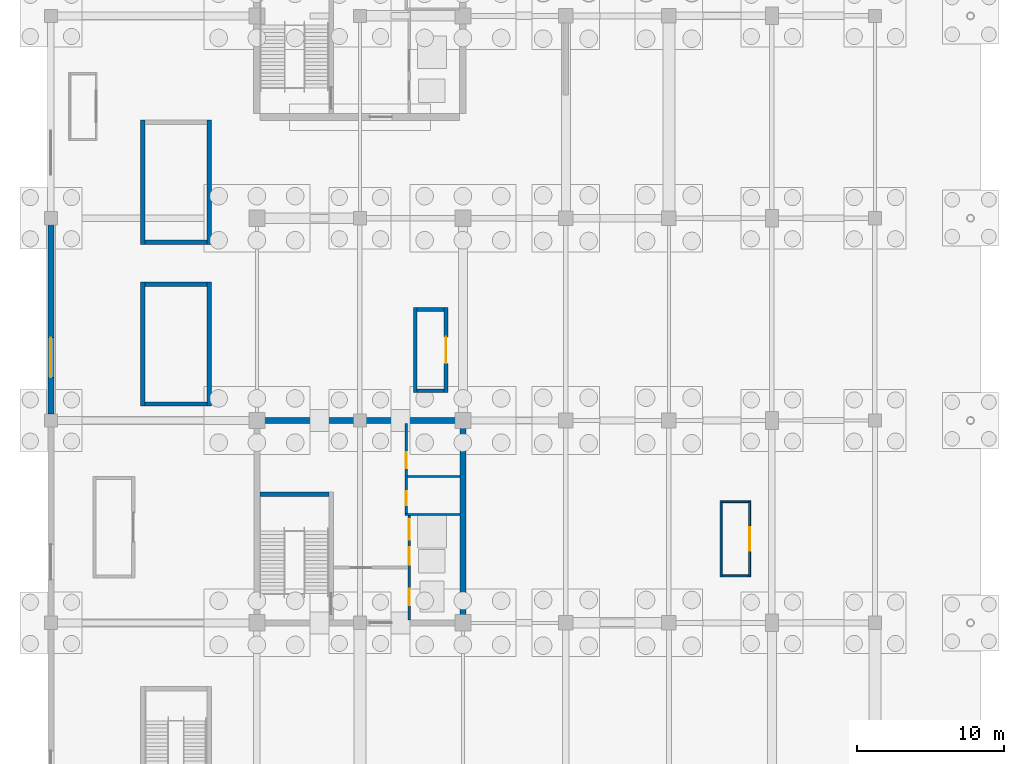
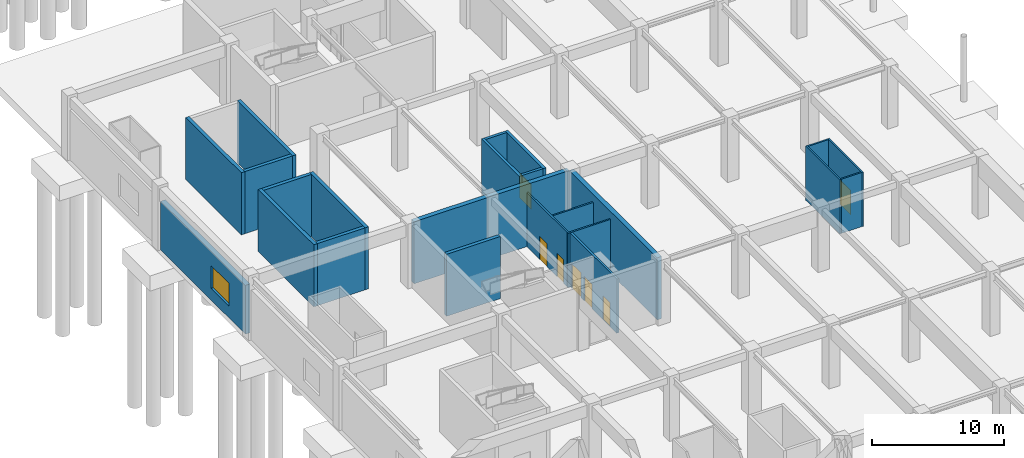
# One storey, part 42 of 62: 23 walls, 7 doors, 1 window, 8 openings.
"""IFC4 building model written with IfcOpenShell, lengths in metres."""

from ifc_helpers import new_model, si_unit, direction, frame, frame_2d, origin, place, context, subcontext, project, spatial, rectangle, extrude, material, layer, layer_set, type_object, element, fill, save


model = new_model("IFC4")

# Units and contexts
model_context = context("Model", 3, precision=1e-05, world=origin(), true_north=direction((0.0, 1.0)))
body_context = subcontext(model_context, "Body", "Model", "MODEL_VIEW")
ifc_project = project(units=[si_unit("LENGTHUNIT", "METRE"), si_unit("AREAUNIT", "SQUARE_METRE"), si_unit("VOLUMEUNIT", "CUBIC_METRE"), si_unit("PLANEANGLEUNIT", "RADIAN"), si_unit("MASSUNIT", "GRAM", prefix="KILO")], contexts=[model_context])

# Site, building, storey
site_placement = place(None, origin())
site = spatial("IfcSite", under=ifc_project, at=site_placement, CompositionType="ELEMENT")
building_placement = place(site_placement, origin())
building = spatial("IfcBuilding", under=site, at=building_placement, Name="Linyun Crest Stadium", CompositionType="ELEMENT")
storey_placement = place(building_placement, frame((0.0, 0.0, -6.0)))
storey = spatial("IfcBuildingStorey", under=building, at=storey_placement, Name="B1", CompositionType="ELEMENT", Elevation=-6.0)

# Walls
ifc_material_1 = material(Name="Concrete C50", Category="concrete")
ifc_layer_1 = layer(ifc_material_1, 0.39990234375)
ifc_layer_set_1 = layer_set([ifc_layer_1], Name="Concrete C50")
wall_type_1 = type_object("IfcWallType", Name="CW02", PredefinedType="SHEAR", material=ifc_layer_set_1)
wall_1_placement = place(storey_placement, frame((-70.0, 2.324951171875, 0.0), z_axis=(0.0, 0.0, 1.0), x_axis=(0.0, 1.0, 0.0)))
element("IfcWall", 1, at=wall_1_placement, inside=storey, type_object=wall_type_1, Name="Core shear wall CW02 CORE-W2 B1.2", PredefinedType="SHEAR", context=body_context, shape_type="SweptSolid", body=[
    extrude(rectangle(XDim=13.35009765625, YDim=0.39990234375, at=frame_2d((6.675048828125, 0.0))), origin(), (0.0, 0.0, 1.0), 5.75),
])
wall_2_placement = place(storey_placement, frame((-83.800048828125, 15.875, 0.0), z_axis=(0.0, 0.0, 1.0), x_axis=(1.0, 0.0, 0.0)))
element("IfcWall", 2, at=wall_2_placement, inside=storey, type_object=wall_type_1, Name="Core shear wall CW02 CORE-W2 B1.4", PredefinedType="SHEAR", context=body_context, shape_type="SweptSolid", body=[
    extrude(rectangle(XDim=13.60009765625, YDim=0.39990234375, at=frame_2d((6.800048828125, 0.0))), origin(), (0.0, 0.0, 1.0), 5.75),
])

# Wall, opening, window
ifc_material_2 = material(Name="Concrete C40 basement retaining envelope wall", Category="concrete")
ifc_layer_2 = layer(ifc_material_2, 0.419921875)
ifc_layer_set_2 = layer_set([ifc_layer_2], Name="Concrete C40 basement retaining envelope wall")
wall_type_2 = type_object("IfcWallType", Name="EW08", PredefinedType="SOLIDWALL", material=ifc_layer_set_2)
wall_3_placement = place(storey_placement, frame((-98.0, 16.31494140625, 0.0), z_axis=(0.0, 0.0, 1.0), x_axis=(0.0, 1.0, 0.0)))
wall_3 = element("IfcWall", 3, at=wall_3_placement, inside=storey, type_object=wall_type_2, Name="Exterior wall EW08 B1 17", PredefinedType="SOLIDWALL", context=body_context, shape_type="SweptSolid", body=[
    extrude(rectangle(XDim=12.8701171875, YDim=0.419921875, at=frame_2d((6.43505859375, 0.0))), origin(), (0.0, 0.0, 1.0), 4.52490234375),
])
opening_1_placement = place(wall_3_placement, frame((2.5, 0.0, 1.10009765625)))
opening_1 = element("IfcOpeningElement", 4, at=opening_1_placement, cuts=wall_3, Name="Opening WN05", PredefinedType="OPENING", context=body_context, shape_type="SweptSolid", body=[
    extrude(rectangle(XDim=2.699951171875, YDim=2.10009765625, at=frame_2d((1.35009765625, 1.050048828125))), frame((0.0, 0.219970703125, 0.0), z_axis=(0.0, -1.0, 0.0), x_axis=(1.0, 0.0, 0.0)), (0.0, 0.0, 1.0), 0.43994140625),
])
ifc_material_3 = material(Name="Verdigris steel Art Nouveau arched window", Category="steel")
ifc_layer_3 = layer(ifc_material_3, 0.06494140625)
ifc_layer_set_3 = layer_set([ifc_layer_3], Name="Verdigris steel Art Nouveau arched window")
window_type = type_object("IfcWindowType", Name="WN05", PartitioningType="SINGLE_PANEL", PredefinedType="WINDOW", material=ifc_layer_set_3)
window_placement = place(opening_1_placement, origin())
window = element("IfcWindow", 5, at=window_placement, inside=storey, type_object=window_type, Name="Window WN05 B1 21", OverallHeight=2.10009765625, OverallWidth=2.699951171875, PartitioningType="SINGLE_PANEL", PredefinedType="WINDOW", context=body_context, shape_type="SweptSolid", body=[
    extrude(rectangle(XDim=2.699951171875, YDim=2.10009765625, at=frame_2d((1.35009765625, 1.050048828125))), frame((0.0, 0.030029296875, 0.0), z_axis=(0.0, -1.0, 0.0), x_axis=(1.0, 0.0, 0.0)), (0.0, 0.0, 1.0), 0.06005859375),
])
fill(opening_1, window)

# Wall, openings, doors
ifc_material_4 = material(Name="Autoclaved aerated concrete block fire partition", Category="concrete")
ifc_layer_4 = layer(ifc_material_4, 0.179931640625)
ifc_layer_set_4 = layer_set([ifc_layer_4], Name="Autoclaved aerated concrete block fire partition")
wall_type_3 = type_object("IfcWallType", Name="PW12", PredefinedType="PARTITIONING", material=ifc_layer_set_4)
wall_4_placement = place(storey_placement, frame((-73.64990234375, 2.324951171875, 0.0), z_axis=(0.0, 0.0, 1.0), x_axis=(0.0, 1.0, 0.0)))
wall_4 = element("IfcWall", 6, at=wall_4_placement, inside=storey, type_object=wall_type_3, Name="Partition PW12 B1 23", PredefinedType="PARTITIONING", context=body_context, shape_type="SweptSolid", body=[
    extrude(rectangle(XDim=7.080078125, YDim=0.179931640625, at=frame_2d((3.5400390625, 0.0))), origin(), (0.0, 0.0, 1.0), 5.02001953125),
])
opening_2_placement = place(wall_4_placement, frame((1.0, 0.0, 0.0)))
opening_2 = element("IfcOpeningElement", 7, at=opening_2_placement, cuts=wall_4, Name="Opening LD015", PredefinedType="OPENING", context=body_context, shape_type="SweptSolid", body=[
    extrude(rectangle(XDim=1.10009765625, YDim=2.199951171875, at=frame_2d((0.550048828125, 1.10009765625))), frame((0.0, 0.099853515625, 0.0), z_axis=(0.0, -1.0, 0.0), x_axis=(1.0, 0.0, 0.0)), (0.0, 0.0, 1.0), 0.199951171875),
])
opening_3_placement = place(wall_4_placement, frame((3.75, 0.0, 0.0)))
opening_3 = element("IfcOpeningElement", 8, at=opening_3_placement, cuts=wall_4, Name="Opening LD016", PredefinedType="OPENING", context=body_context, shape_type="SweptSolid", body=[
    extrude(rectangle(XDim=1.199951171875, YDim=2.25, at=frame_2d((0.60009765625, 1.125))), frame((0.0, 0.099853515625, 0.0), z_axis=(0.0, -1.0, 0.0), x_axis=(1.0, 0.0, 0.0)), (0.0, 0.0, 1.0), 0.199951171875),
])
opening_4_placement = place(wall_4_placement, frame((5.449951171875, 0.0, 0.0)))
opening_4 = element("IfcOpeningElement", 9, at=opening_4_placement, cuts=wall_4, Name="Opening LD017", PredefinedType="OPENING", context=body_context, shape_type="SweptSolid", body=[
    extrude(rectangle(XDim=1.39990234375, YDim=2.300048828125, at=frame_2d((0.699951171875, 1.14990234375))), frame((0.0, 0.099853515625, 0.0), z_axis=(0.0, -1.0, 0.0), x_axis=(1.0, 0.0, 0.0)), (0.0, 0.0, 1.0), 0.199951171875),
])
ifc_material_5 = material(Name="Brushed stainless sliding lift door")
ifc_layer_5 = layer(ifc_material_5, 0.050048828125)
ifc_layer_set_5 = layer_set([ifc_layer_5], Name="Brushed stainless sliding lift door")
door_type_1 = type_object("IfcDoorType", Name="LD01", OperationType="NOTDEFINED", PredefinedType="DOOR", material=ifc_layer_set_5)
door_1_placement = place(opening_2_placement, origin())
door_1 = element("IfcDoor", 10, at=door_1_placement, inside=storey, type_object=door_type_1, Name="Lift landing door LD015", OperationType="DOUBLE_DOOR_SLIDING", OverallHeight=2.199951171875, OverallWidth=1.10009765625, PredefinedType="DOOR", context=body_context, shape_type="SweptSolid", body=[
    extrude(rectangle(XDim=1.10009765625, YDim=2.199951171875, at=frame_2d((0.550048828125, 1.10009765625))), frame((0.0, 0.02490234375, 0.0), z_axis=(0.0, -1.0, 0.0), x_axis=(1.0, 0.0, 0.0)), (0.0, 0.0, 1.0), 0.050048828125),
])
fill(opening_2, door_1)
ifc_material_6 = material(Name="Brushed stainless sliding lift door")
ifc_layer_6 = layer(ifc_material_6, 0.050048828125)
ifc_layer_set_6 = layer_set([ifc_layer_6], Name="Brushed stainless sliding lift door")
door_type_2 = type_object("IfcDoorType", Name="LD02", OperationType="NOTDEFINED", PredefinedType="DOOR", material=ifc_layer_set_6)
door_2_placement = place(opening_3_placement, origin())
door_2 = element("IfcDoor", 11, at=door_2_placement, inside=storey, type_object=door_type_2, Name="Lift landing door LD016", OperationType="DOUBLE_DOOR_SLIDING", OverallHeight=2.25, OverallWidth=1.199951171875, PredefinedType="DOOR", context=body_context, shape_type="SweptSolid", body=[
    extrude(rectangle(XDim=1.199951171875, YDim=2.25, at=frame_2d((0.60009765625, 1.125))), frame((0.0, 0.02490234375, 0.0), z_axis=(0.0, -1.0, 0.0), x_axis=(1.0, 0.0, 0.0)), (0.0, 0.0, 1.0), 0.050048828125),
])
fill(opening_3, door_2)
ifc_material_7 = material(Name="Heavy-duty stainless sliding door")
ifc_layer_7 = layer(ifc_material_7, 0.054931640625)
ifc_layer_set_7 = layer_set([ifc_layer_7], Name="Heavy-duty stainless sliding door")
door_type_3 = type_object("IfcDoorType", Name="LD03", OperationType="NOTDEFINED", PredefinedType="DOOR", material=ifc_layer_set_7)
door_3_placement = place(opening_4_placement, origin())
door_3 = element("IfcDoor", 12, at=door_3_placement, inside=storey, type_object=door_type_3, Name="Lift landing door LD017", OperationType="DOUBLE_DOOR_SLIDING", OverallHeight=2.300048828125, OverallWidth=1.39990234375, PredefinedType="DOOR", context=body_context, shape_type="SweptSolid", body=[
    extrude(rectangle(XDim=1.39990234375, YDim=2.300048828125, at=frame_2d((0.699951171875, 1.14990234375))), frame((0.0, 0.02490234375, 0.0), z_axis=(0.0, -1.0, 0.0), x_axis=(1.0, 0.0, 0.0)), (0.0, 0.0, 1.0), 0.050048828125),
])
fill(opening_4, door_3)

ifc_material_8 = material(Name="Moisture-resistant ceramic-tiled wet-room wall")
ifc_layer_8 = layer(ifc_material_8, 0.139892578125)
ifc_layer_set_8 = layer_set([ifc_layer_8], Name="Moisture-resistant ceramic-tiled wet-room wall")
wall_type_4 = type_object("IfcWallType", Name="PW15", PredefinedType="PARTITIONING", material=ifc_layer_set_8)
wall_5_placement = place(storey_placement, frame((-73.85009765625, 9.544921875, 0.0), z_axis=(0.0, 0.0, 1.0), x_axis=(0.0, 1.0, 0.0)))
wall_5 = element("IfcWall", 13, at=wall_5_placement, inside=storey, type_object=wall_type_4, Name="Partition PW15 B1 24", PredefinedType="PARTITIONING", context=body_context, shape_type="SweptSolid", body=[
    extrude(rectangle(XDim=6.130126953125, YDim=0.139892578125, at=frame_2d((3.06494140625, 0.0))), origin(), (0.0, 0.0, 1.0), 5.02001953125),
])
opening_5_placement = place(wall_5_placement, frame((0.580078125, 0.0, 0.0)))
opening_5 = element("IfcOpeningElement", 14, at=opening_5_placement, cuts=wall_5, Name="Opening D-B1-056", PredefinedType="OPENING", context=body_context, shape_type="SweptSolid", body=[
    extrude(rectangle(XDim=0.949951171875, YDim=2.14990234375, at=frame_2d((0.47509765625, 1.074951171875))), frame((0.0, 0.079833984375, 0.0), z_axis=(0.0, -1.0, 0.0), x_axis=(1.0, 0.0, 0.0)), (0.0, 0.0, 1.0), 0.159912109375),
])
opening_6_placement = place(wall_5_placement, frame((3.080078125, 0.0, 0.0)))
opening_6 = element("IfcOpeningElement", 15, at=opening_6_placement, cuts=wall_5, Name="Opening D-B1-057", PredefinedType="OPENING", context=body_context, shape_type="SweptSolid", body=[
    extrude(rectangle(XDim=1.10009765625, YDim=2.14990234375, at=frame_2d((0.550048828125, 1.074951171875))), frame((0.0, 0.079833984375, 0.0), z_axis=(0.0, -1.0, 0.0), x_axis=(1.0, 0.0, 0.0)), (0.0, 0.0, 1.0), 0.159912109375),
])
ifc_material_9 = material(Name="Moisture-resistant laminate leaf")
ifc_layer_9 = layer(ifc_material_9, 0.044921875)
ifc_layer_set_9 = layer_set([ifc_layer_9], Name="Moisture-resistant laminate leaf")
door_type_4 = type_object("IfcDoorType", Name="ID02", OperationType="NOTDEFINED", PredefinedType="DOOR", material=ifc_layer_set_9)
door_4_placement = place(opening_5_placement, origin())
door_4 = element("IfcDoor", 16, at=door_4_placement, inside=storey, type_object=door_type_4, Name="Door D-B1-056", OperationType="SINGLE_SWING_RIGHT", OverallHeight=2.14990234375, OverallWidth=0.949951171875, PredefinedType="DOOR", context=body_context, shape_type="SweptSolid", body=[
    extrude(rectangle(XDim=0.949951171875, YDim=2.14990234375, at=frame_2d((0.47509765625, 1.074951171875))), frame((0.0, 0.02490234375, 0.0), z_axis=(0.0, -1.0, 0.0), x_axis=(1.0, 0.0, 0.0)), (0.0, 0.0, 1.0), 0.050048828125),
])
fill(opening_5, door_4)
ifc_material_10 = material(Name="Moisture-resistant laminate leaf")
ifc_layer_10 = layer(ifc_material_10, 0.044921875)
ifc_layer_set_10 = layer_set([ifc_layer_10], Name="Moisture-resistant laminate leaf")
door_type_5 = type_object("IfcDoorType", Name="ID03", OperationType="NOTDEFINED", PredefinedType="DOOR", material=ifc_layer_set_10)
door_5_placement = place(opening_6_placement, origin())
door_5 = element("IfcDoor", 17, at=door_5_placement, inside=storey, type_object=door_type_5, Name="Door D-B1-057", OperationType="SINGLE_SWING_LEFT", OverallHeight=2.14990234375, OverallWidth=1.10009765625, PredefinedType="DOOR", context=body_context, shape_type="SweptSolid", body=[
    extrude(rectangle(XDim=1.10009765625, YDim=2.14990234375, at=frame_2d((0.550048828125, 1.074951171875))), frame((0.0, 0.02490234375, 0.0), z_axis=(0.0, -1.0, 0.0), x_axis=(1.0, 0.0, 0.0)), (0.0, 0.0, 1.0), 0.050048828125),
])
fill(opening_6, door_5)

# Walls
wall_6_placement = place(storey_placement, frame((-73.919921875, 9.47509765625, 0.0), z_axis=(0.0, 0.0, 1.0), x_axis=(1.0, 0.0, 0.0)))
element("IfcWall", 18, at=wall_6_placement, inside=storey, type_object=wall_type_4, Name="Enclosure partition PW15 B1 15", PredefinedType="PARTITIONING", context=body_context, shape_type="SweptSolid", body=[
    extrude(rectangle(XDim=3.719970703125, YDim=0.139892578125, at=frame_2d((1.85986328125, 0.0))), origin(), (0.0, 0.0, 1.0), 5.02001953125),
])
wall_7_placement = place(storey_placement, frame((-73.780029296875, 12.074951171875, 0.0), z_axis=(0.0, 0.0, 1.0), x_axis=(1.0, 0.0, 0.0)))
element("IfcWall", 19, at=wall_7_placement, inside=storey, type_object=wall_type_4, Name="Enclosure partition PW15 B1 16", PredefinedType="PARTITIONING", context=body_context, shape_type="SweptSolid", body=[
    extrude(rectangle(XDim=3.580078125, YDim=0.139892578125, at=frame_2d((1.7900390625, 0.0))), origin(), (0.0, 0.0, 1.0), 5.02001953125),
])

# Wall, opening, door
ifc_material_11 = material(Name="Impact-resistant community sports hall lining")
ifc_layer_11 = layer(ifc_material_11, 0.135009765625)
ifc_layer_set_11 = layer_set([ifc_layer_11], Name="Impact-resistant community sports hall lining")
wall_type_5 = type_object("IfcWallType", Name="PW19", PredefinedType="PARTITIONING", material=ifc_layer_set_11)
wall_8_placement = place(storey_placement, frame((-50.509033203125, 10.422119140625, 0.0), z_axis=(0.0, 0.0, 1.0), x_axis=(0.0, -1.0, 0.0)))
wall_8 = element("IfcWall", 20, at=wall_8_placement, inside=storey, type_object=wall_type_5, Name="Partition PW19 B1 142", PredefinedType="PARTITIONING", context=body_context, shape_type="SweptSolid", body=[
    extrude(rectangle(XDim=5.18017578125, YDim=0.135009765625, at=frame_2d((2.590087890625, 0.0))), origin(), (0.0, 0.0, 1.0), 5.02001953125),
])
opening_7_placement = place(wall_8_placement, frame((1.7900390625, 0.0, 0.0)))
opening_7 = element("IfcOpeningElement", 21, at=opening_7_placement, cuts=wall_8, Name="Opening D-B1-405", PredefinedType="OPENING", context=body_context, shape_type="SweptSolid", body=[
    extrude(rectangle(XDim=1.60009765625, YDim=2.25, at=frame_2d((0.800048828125, 1.125))), frame((0.0, 0.077392578125, 0.0), z_axis=(0.0, -1.0, 0.0), x_axis=(1.0, 0.0, 0.0)), (0.0, 0.0, 1.0), 0.155029296875),
])
ifc_material_12 = material(Name="Stainless-clad fire door")
ifc_layer_12 = layer(ifc_material_12, 0.054931640625)
ifc_layer_set_12 = layer_set([ifc_layer_12], Name="Stainless-clad fire door")
door_type_6 = type_object("IfcDoorType", Name="FD05", OperationType="NOTDEFINED", PredefinedType="DOOR", material=ifc_layer_set_12)
door_6_placement = place(opening_7_placement, origin())
door_6 = element("IfcDoor", 22, at=door_6_placement, inside=storey, type_object=door_type_6, Name="Door D-B1-405", OperationType="SINGLE_SWING_LEFT", OverallHeight=2.25, OverallWidth=1.60009765625, PredefinedType="DOOR", context=body_context, shape_type="SweptSolid", body=[
    extrude(rectangle(XDim=1.60009765625, YDim=2.25, at=frame_2d((0.800048828125, 1.125))), frame((0.0, 0.02490234375, 0.0), z_axis=(0.0, -1.0, 0.0), x_axis=(1.0, 0.0, 0.0)), (0.0, 0.0, 1.0), 0.050048828125),
])
fill(opening_7, door_6)

# Walls
wall_9_placement = place(storey_placement, frame((-52.448974609375, 5.241943359375, 0.0), z_axis=(0.0, 0.0, 1.0), x_axis=(0.0, 1.0, 0.0)))
element("IfcWall", 23, at=wall_9_placement, inside=storey, type_object=wall_type_5, Name="Enclosure partition PW19 B1 142", PredefinedType="PARTITIONING", context=body_context, shape_type="SweptSolid", body=[
    extrude(rectangle(XDim=5.18017578125, YDim=0.135009765625, at=frame_2d((2.590087890625, 0.0))), origin(), (0.0, 0.0, 1.0), 5.02001953125),
])
for number, where, z_axis, x_axis, name in (
    (24, (-52.381103515625, 5.31005859375, 0.0), (0.0, 0.0, 1.0), (1.0, 0.0, 0.0), "Enclosure partition PW19 B1 143"),
    (25, (-52.381103515625, 10.35400390625, 0.0), (0.0, 0.0, 1.0), (1.0, 0.0, 0.0), "Enclosure partition PW19 B1 144"),
):
    element("IfcWall", number, at=place(storey_placement, frame(where, z_axis=z_axis, x_axis=x_axis)), inside=storey, type_object=wall_type_5, Name=name, PredefinedType="PARTITIONING", context=body_context, shape_type="SweptSolid", body=[
        extrude(rectangle(XDim=1.80419921875, YDim=0.135009765625, at=frame_2d((0.902099609375, 0.0))), origin(), (0.0, 0.0, 1.0), 5.02001953125),
    ])

# Wall, opening, door
ifc_material_13 = material(Name="Plant room acoustic masonry partition", Category="masonry")
ifc_layer_13 = layer(ifc_material_13, 0.2451171875)
ifc_layer_set_13 = layer_set([ifc_layer_13], Name="Plant room acoustic masonry partition")
wall_type_6 = type_object("IfcWallType", Name="PW20", PredefinedType="PARTITIONING", material=ifc_layer_set_13)
wall_10_placement = place(storey_placement, frame((-71.15087890625, 23.541015625, 0.0), z_axis=(0.0, 0.0, 1.0), x_axis=(0.0, -1.0, 0.0)))
wall_10 = element("IfcWall", 26, at=wall_10_placement, inside=storey, type_object=wall_type_6, Name="Partition PW20 B1 144", PredefinedType="PARTITIONING", context=body_context, shape_type="SweptSolid", body=[
    extrude(rectangle(XDim=5.760009765625, YDim=0.2451171875, at=frame_2d((2.8798828125, 0.0))), origin(), (0.0, 0.0, 1.0), 5.02001953125),
])
opening_8_placement = place(wall_10_placement, frame((1.97998046875, 0.0, 0.0)))
opening_8 = element("IfcOpeningElement", 27, at=opening_8_placement, cuts=wall_10, Name="Opening D-B1-407", PredefinedType="OPENING", context=body_context, shape_type="SweptSolid", body=[
    extrude(rectangle(XDim=1.800048828125, YDim=2.300048828125, at=frame_2d((0.89990234375, 1.14990234375))), frame((0.0, 0.132568359375, 0.0), z_axis=(0.0, -1.0, 0.0), x_axis=(1.0, 0.0, 0.0)), (0.0, 0.0, 1.0), 0.26513671875),
])
ifc_material_14 = material(Name="Double-leaf steel plant fire door", Category="steel")
ifc_layer_14 = layer(ifc_material_14, 0.06005859375)
ifc_layer_set_14 = layer_set([ifc_layer_14], Name="Double-leaf steel plant fire door")
door_type_7 = type_object("IfcDoorType", Name="FD04", OperationType="NOTDEFINED", PredefinedType="DOOR", material=ifc_layer_set_14)
door_7_placement = place(opening_8_placement, origin())
door_7 = element("IfcDoor", 28, at=door_7_placement, inside=storey, type_object=door_type_7, Name="Door D-B1-407", OperationType="DOUBLE_DOOR_SINGLE_SWING", OverallHeight=2.300048828125, OverallWidth=1.800048828125, PredefinedType="DOOR", context=body_context, shape_type="SweptSolid", body=[
    extrude(rectangle(XDim=1.800048828125, YDim=2.300048828125, at=frame_2d((0.89990234375, 1.14990234375))), frame((0.0, 0.02490234375, 0.0), z_axis=(0.0, -1.0, 0.0), x_axis=(1.0, 0.0, 0.0)), (0.0, 0.0, 1.0), 0.050048828125),
])
fill(opening_8, door_7)

# Walls
wall_11_placement = place(storey_placement, frame((-73.23095703125, 17.781005859375, 0.0), z_axis=(0.0, 0.0, 1.0), x_axis=(0.0, 1.0, 0.0)))
element("IfcWall", 29, at=wall_11_placement, inside=storey, type_object=wall_type_6, Name="Enclosure partition PW20 B1 148", PredefinedType="PARTITIONING", context=body_context, shape_type="SweptSolid", body=[
    extrude(rectangle(XDim=5.760009765625, YDim=0.2451171875, at=frame_2d((2.8798828125, 0.0))), origin(), (0.0, 0.0, 1.0), 5.02001953125),
])
for number, where, z_axis, x_axis, name in (
    (30, (-73.10791015625, 17.904052734375, 0.0), (0.0, 0.0, 1.0), (1.0, 0.0, 0.0), "Enclosure partition PW20 B1 149"),
    (31, (-73.10791015625, 23.41796875, 0.0), (0.0, 0.0, 1.0), (1.0, 0.0, 0.0), "Enclosure partition PW20 B1 150"),
):
    element("IfcWall", number, at=place(storey_placement, frame(where, z_axis=z_axis, x_axis=x_axis)), inside=storey, type_object=wall_type_6, Name=name, PredefinedType="PARTITIONING", context=body_context, shape_type="SweptSolid", body=[
        extrude(rectangle(XDim=1.833984375, YDim=0.2451171875, at=frame_2d((0.9169921875, 0.0))), origin(), (0.0, 0.0, 1.0), 5.02001953125),
    ])
ifc_material_15 = material(Name="Concrete C50", Category="concrete")
ifc_layer_15 = layer(ifc_material_15, 0.300048828125)
ifc_layer_set_15 = layer_set([ifc_layer_15], Name="Concrete C50")
wall_type_7 = type_object("IfcWallType", Name="SW01", PredefinedType="SHEAR", material=ifc_layer_set_15)
wall_12_placement = place(storey_placement, frame((-83.800048828125, 10.875, 0.0), z_axis=(0.0, 0.0, 1.0), x_axis=(1.0, 0.0, 0.0)))
element("IfcWall", 32, at=wall_12_placement, inside=storey, type_object=wall_type_7, Name="Core stair bearing wall SW01 2 B1", PredefinedType="SHEAR", context=body_context, shape_type="SweptSolid", body=[
    extrude(rectangle(XDim=4.699951171875, YDim=0.300048828125, at=frame_2d((2.35009765625, 0.0))), origin(), (0.0, 0.0, 1.0), 5.75),
])
for number, where, z_axis, x_axis, name in (
    (33, (-91.60009765625, 17.0, 0.0), (0.0, 0.0, 1.0), (1.0, 0.0, 0.0), "Stair shaft wall SW01 STR-16 B1 S"),
    (34, (-91.60009765625, 25.14990234375, 0.0), (0.0, 0.0, 1.0), (1.0, 0.0, 0.0), "Stair shaft wall SW01 STR-16 B1 N"),
):
    element("IfcWall", number, at=place(storey_placement, frame(where, z_axis=z_axis, x_axis=x_axis)), inside=storey, type_object=wall_type_7, Name=name, PredefinedType="SHEAR", context=body_context, shape_type="SweptSolid", body=[
        extrude(rectangle(XDim=4.2001953125, YDim=0.300048828125, at=frame_2d((2.10009765625, 0.0))), origin(), (0.0, 0.0, 1.0), 5.75),
    ])
for number, where, z_axis, x_axis, name in (
    (35, (-91.75, 16.85009765625, 0.0), (0.0, 0.0, 1.0), (0.0, 1.0, 0.0), "Stair shaft wall SW01 STR-16 B1 W"),
    (36, (-87.25, 16.85009765625, 0.0), (0.0, 0.0, 1.0), (0.0, 1.0, 0.0), "Stair shaft wall SW01 STR-16 B1 E"),
):
    element("IfcWall", number, at=place(storey_placement, frame(where, z_axis=z_axis, x_axis=x_axis)), inside=storey, type_object=wall_type_7, Name=name, PredefinedType="SHEAR", context=body_context, shape_type="SweptSolid", body=[
        extrude(rectangle(XDim=8.449951171875, YDim=0.300048828125, at=frame_2d((4.22509765625, 0.0))), origin(), (0.0, 0.0, 1.0), 5.75),
    ])
wall_13_placement = place(storey_placement, frame((-91.60009765625, 28.0, 0.0), z_axis=(0.0, 0.0, 1.0), x_axis=(1.0, 0.0, 0.0)))
element("IfcWall", 37, at=wall_13_placement, inside=storey, type_object=wall_type_7, Name="Stair shaft wall SW01 STR-17 B1 S", PredefinedType="SHEAR", context=body_context, shape_type="SweptSolid", body=[
    extrude(rectangle(XDim=4.2001953125, YDim=0.300048828125, at=frame_2d((2.10009765625, 0.0))), origin(), (0.0, 0.0, 1.0), 5.75),
])
for number, where, z_axis, x_axis, name in (
    (38, (-91.75, 27.85009765625, 0.0), (0.0, 0.0, 1.0), (0.0, 1.0, 0.0), "Stair shaft wall SW01 STR-17 B1 W"),
    (39, (-87.25, 27.85009765625, 0.0), (0.0, 0.0, 1.0), (0.0, 1.0, 0.0), "Stair shaft wall SW01 STR-17 B1 E"),
):
    element("IfcWall", number, at=place(storey_placement, frame(where, z_axis=z_axis, x_axis=x_axis)), inside=storey, type_object=wall_type_7, Name=name, PredefinedType="SHEAR", context=body_context, shape_type="SweptSolid", body=[
        extrude(rectangle(XDim=8.449951171875, YDim=0.300048828125, at=frame_2d((4.22509765625, 0.0))), origin(), (0.0, 0.0, 1.0), 5.75),
    ])

save(model, "model.ifc")
